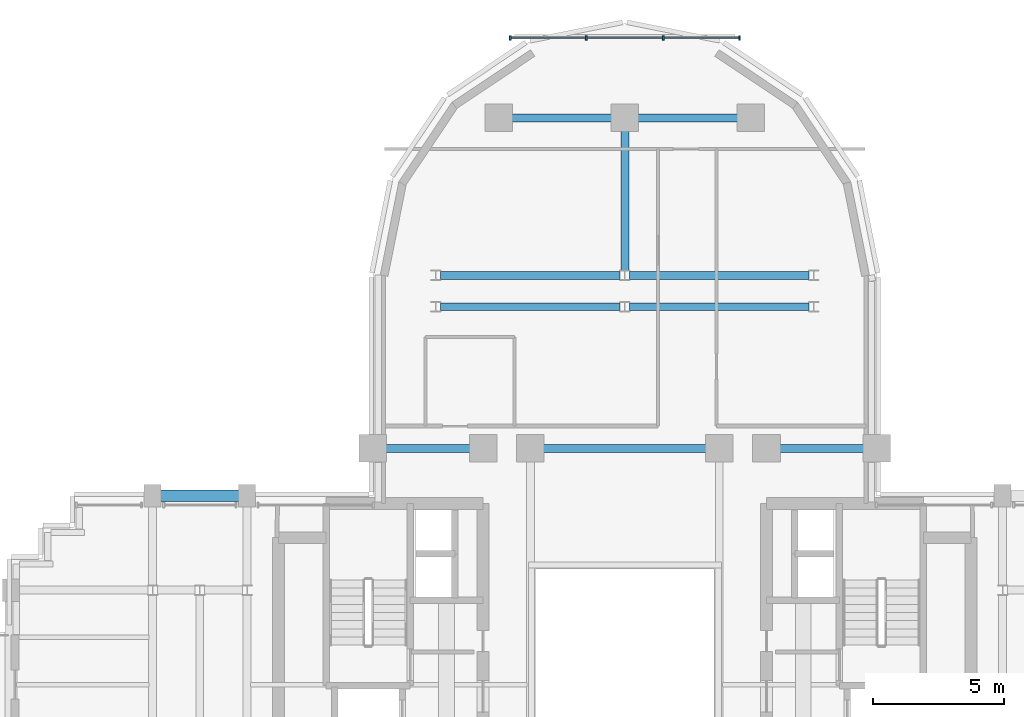
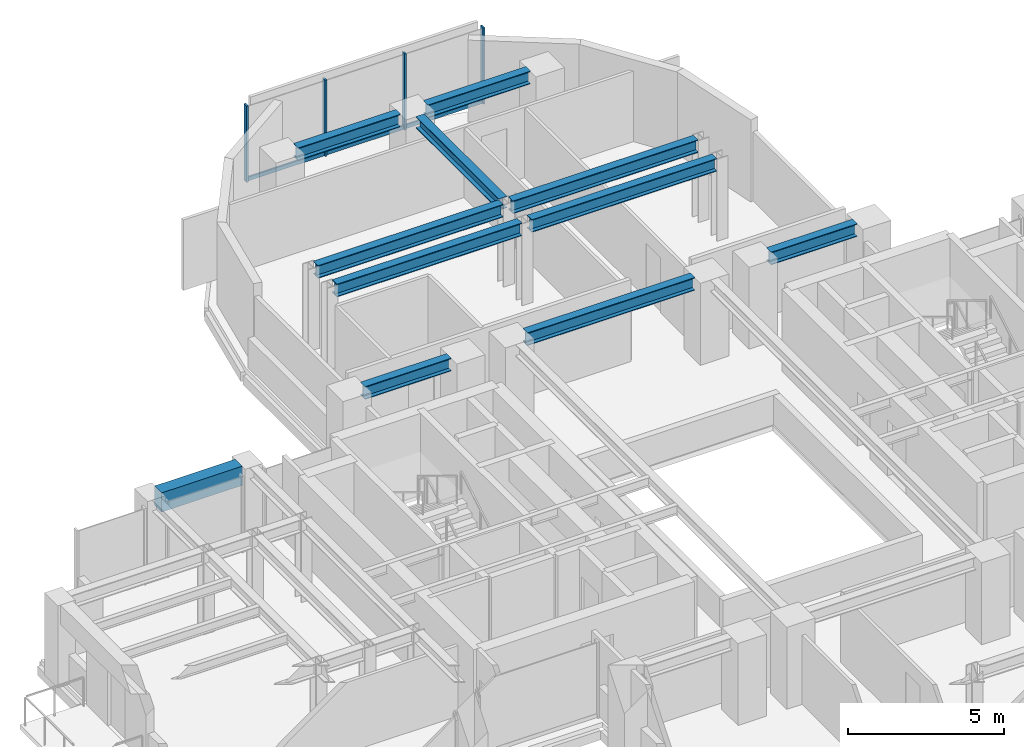
# One storey, part 6 of 13: 11 beams, 7 members, 1 element without a shape of its own.
"""IFC4 building model written with IfcOpenShell, lengths in metres."""

from ifc_helpers import new_model, si_unit, direction, frame, origin, origin_2d, place, context, subcontext, project, spatial, rectangle, i_section, extrude, source, transform, mapped, material, material_profile, profile_set, type_object, element, aggregate, save


model = new_model("IFC4")

# Units and contexts
model_context = context("Model", 3, precision=1e-05, world=origin(), true_north=direction((0.0, 1.0)))
body_context = subcontext(model_context, "Body", "Model", "MODEL_VIEW")
ifc_project = project(units=[si_unit("LENGTHUNIT", "METRE"), si_unit("AREAUNIT", "SQUARE_METRE"), si_unit("VOLUMEUNIT", "CUBIC_METRE"), si_unit("PLANEANGLEUNIT", "RADIAN"), si_unit("MASSUNIT", "GRAM", prefix="KILO")], contexts=[model_context])

# Site, building, storey
site_placement = place(None, origin())
site = spatial("IfcSite", under=ifc_project, at=site_placement, CompositionType="ELEMENT")
building_placement = place(site_placement, origin())
building = spatial("IfcBuilding", under=site, at=building_placement, Name="Keilestroom Media Tower", CompositionType="ELEMENT")
storey_placement = place(building_placement, frame((0.0, 0.0, 100.60009765625)))
storey = spatial("IfcBuildingStorey", under=building, at=storey_placement, Name="L26", CompositionType="ELEMENT", Elevation=100.60009765625)

# Beams
ifc_material_1 = material(Name="Steel S355", Category="steel")
ifc_material_profile_1 = material_profile(ifc_material_1, i_section(OverallWidth=0.300048828125, OverallDepth=0.5, WebThickness=0.012451171875, FlangeThickness=0.028076171875, at=origin_2d()), Name="HEB 500")
ifc_profile_set_1 = profile_set([ifc_material_profile_1], Name="Steel S355")
beam_type_1 = type_object("IfcBeamType", Name="Primary-Structural-Girder-HEB-500", PredefinedType="BEAM", material=ifc_profile_set_1)
shared_shape_1 = source(origin(), body_context, "Body", "SweptSolid", [
    extrude(i_section(OverallWidth=0.300048828125, OverallDepth=0.5, WebThickness=0.012451171875, FlangeThickness=0.028076171875, at=origin_2d()), origin(), (0.0, 0.0, 1.0), 3.7900390625),
])
for number, where, z_axis, x_axis, name in (
    (1, (-4.294921875, 21.60009765625, 2.949951171875), (1.0, 0.0, 0.0), (0.0, 1.0, 0.0), "L26 Beam BG-6 BM-L26-EW-037"),
    (2, (0.5048828125, 21.60009765625, 2.949951171875), (1.0, 0.0, 0.0), (0.0, 1.0, 0.0), "L26 Beam BG-6 BM-L26-EW-038"),
):
    element("IfcBeam", number, at=place(storey_placement, frame(where, z_axis=z_axis, x_axis=x_axis)), inside=storey, type_object=beam_type_1, Name=name, PredefinedType="BEAM", context=body_context, shape_type="MappedRepresentation", body=[
        mapped(shared_shape_1, transform((0.0, 0.0, 0.0), x_axis=(1.0, 0.0, 0.0), y_axis=(0.0, 1.0, 0.0), z_axis=(0.0, 0.0, 1.0), scale=1.0)),
    ])
shared_shape_2 = source(origin(), body_context, "Body", "SweptSolid", [
    extrude(i_section(OverallWidth=0.300048828125, OverallDepth=0.5, WebThickness=0.012451171875, FlangeThickness=0.028076171875, at=origin_2d()), origin(), (0.0, 0.0, 1.0), 6.839111328125),
])
for number, where, z_axis, x_axis, name in (
    (3, (-7.01953125, 14.39990234375, 2.949951171875), (1.0, 0.0, 0.0), (0.0, 1.0, 0.0), "L26 Beam BG-6 BM-L26-EW-033"),
    (4, (0.180419921875, 14.39990234375, 2.949951171875), (1.0, 0.0, 0.0), (0.0, 1.0, 0.0), "L26 Beam BG-6 BM-L26-EW-034"),
    (5, (-7.01953125, 15.60009765625, 2.949951171875), (1.0, 0.0, 0.0), (0.0, 1.0, 0.0), "L26 Beam BG-6 BM-L26-EW-035"),
    (6, (0.180419921875, 15.60009765625, 2.949951171875), (1.0, 0.0, 0.0), (0.0, 1.0, 0.0), "L26 Beam BG-6 BM-L26-EW-036"),
):
    element("IfcBeam", number, at=place(storey_placement, frame(where, z_axis=z_axis, x_axis=x_axis)), inside=storey, type_object=beam_type_1, Name=name, PredefinedType="BEAM", context=body_context, shape_type="MappedRepresentation", body=[
        mapped(shared_shape_2, transform((0.0, 0.0, 0.0), x_axis=(1.0, 0.0, 0.0), y_axis=(0.0, 1.0, 0.0), z_axis=(0.0, 0.0, 1.0), scale=1.0)),
    ])
shared_shape_3 = source(origin(), body_context, "Body", "SweptSolid", [
    extrude(i_section(OverallWidth=0.300048828125, OverallDepth=0.5, WebThickness=0.012451171875, FlangeThickness=0.028076171875, at=origin_2d()), origin(), (0.0, 0.0, 1.0), 3.18994140625),
])
for number, where, z_axis, x_axis, name in (
    (7, (-9.094970703125, 9.0, 2.949951171875), (1.0, 0.0, 0.0), (0.0, 1.0, 0.0), "L26 Beam BG-6 BM-L26-EW-028"),
    (8, (5.905029296875, 9.0, 2.949951171875), (1.0, 0.0, 0.0), (0.0, 1.0, 0.0), "L26 Beam BG-6 BM-L26-EW-032"),
):
    element("IfcBeam", number, at=place(storey_placement, frame(where, z_axis=z_axis, x_axis=x_axis)), inside=storey, type_object=beam_type_1, Name=name, PredefinedType="BEAM", context=body_context, shape_type="MappedRepresentation", body=[
        mapped(shared_shape_3, transform((0.0, 0.0, 0.0), x_axis=(1.0, 0.0, 0.0), y_axis=(0.0, 1.0, 0.0), z_axis=(0.0, 0.0, 1.0), scale=1.0)),
    ])
shared_shape_4 = source(origin(), body_context, "Body", "SweptSolid", [
    extrude(i_section(OverallWidth=0.300048828125, OverallDepth=0.5, WebThickness=0.012451171875, FlangeThickness=0.028076171875, at=origin_2d()), origin(), (0.0, 0.0, 1.0), 6.18994140625),
])
beam_1_placement = place(storey_placement, frame((-3.094970703125, 9.0, 2.949951171875), z_axis=(1.0, 0.0, 0.0), x_axis=(0.0, 1.0, 0.0)))
element("IfcBeam", 9, at=beam_1_placement, inside=storey, type_object=beam_type_1, Name="L26 Beam BG-6 BM-L26-EW-030", PredefinedType="BEAM", context=body_context, shape_type="MappedRepresentation", body=[
    mapped(shared_shape_4, transform((0.0, 0.0, 0.0), x_axis=(1.0, 0.0, 0.0), y_axis=(0.0, 1.0, 0.0), z_axis=(0.0, 0.0, 1.0), scale=1.0)),
])
ifc_material_2 = material(Name="Precast concrete C40/50", Category="concrete")
ifc_material_profile_2 = material_profile(ifc_material_2, rectangle(XDim=0.449951171875, YDim=0.75, at=origin_2d()), Name="PC 450x750")
ifc_profile_set_2 = profile_set([ifc_material_profile_2], Name="Precast concrete C40/50")
beam_type_2 = type_object("IfcBeamType", Name="Perimeter-Spandrel-Beam-PC-450x750", PredefinedType="SPANDREL", material=ifc_profile_set_2)
shared_shape_5 = source(origin(), body_context, "Body", "SweptSolid", [
    extrude(rectangle(XDim=0.449951171875, YDim=0.75, at=origin_2d()), origin(), (0.0, 0.0, 1.0), 2.989990234375),
])
beam_2_placement = place(storey_placement, frame((-17.695068359375, 7.199951171875, 2.824951171875), z_axis=(1.0, 0.0, 0.0), x_axis=(0.0, 1.0, 0.0)))
element("IfcBeam", 10, at=beam_2_placement, inside=storey, type_object=beam_type_2, Name="L26 Beam SPB-1 BM-L26-EW-026", PredefinedType="SPANDREL", context=body_context, shape_type="MappedRepresentation", body=[
    mapped(shared_shape_5, transform((0.0, 0.0, 0.0), x_axis=(1.0, 0.0, 0.0), y_axis=(0.0, 1.0, 0.0), z_axis=(0.0, 0.0, 1.0), scale=1.0)),
])
ifc_material_profile_3 = material_profile(ifc_material_1, i_section(OverallWidth=0.300048828125, OverallDepth=0.449951171875, WebThickness=0.011962890625, FlangeThickness=0.02587890625, at=origin_2d()), Name="HEB 450")
ifc_profile_set_3 = profile_set([ifc_material_profile_3], Name="Steel S355")
beam_type_3 = type_object("IfcBeamType", Name="Primary-Structural-Girder-HEB-450", PredefinedType="BEAM", material=ifc_profile_set_3)
shared_shape_6 = source(origin(), body_context, "Body", "SweptSolid", [
    extrude(i_section(OverallWidth=0.300048828125, OverallDepth=0.449951171875, WebThickness=0.011962890625, FlangeThickness=0.02587890625, at=origin_2d()), origin(), (0.0, 0.0, 1.0), 5.3154296875),
])
beam_3_placement = place(storey_placement, frame((0.0, 15.779541015625, 2.974853515625), z_axis=(0.0, 1.0, 0.0), x_axis=(-1.0, 0.0, 0.0)))
element("IfcBeam", 11, at=beam_3_placement, inside=storey, type_object=beam_type_3, Name="L26 Beam BG-7 BM-L26-NS-055", PredefinedType="BEAM", context=body_context, shape_type="MappedRepresentation", body=[
    mapped(shared_shape_6, transform((0.0, 0.0, 0.0), x_axis=(1.0, 0.0, 0.0), y_axis=(0.0, 1.0, 0.0), z_axis=(0.0, 0.0, 1.0), scale=1.0)),
])

# Curtain wall, members
ifc_material_3 = material(Name="Anodised Aluminium Alloy", Category="aluminium")
curtain_wall_type = type_object("IfcCurtainWallType", Name="Unitised-Curtain-Wall-CW-6", PredefinedType="NOTDEFINED", material=ifc_material_3)
curtain_wall_placement = place(storey_placement, origin())
curtain_wall = element("IfcCurtainWall", 12, at=curtain_wall_placement, inside=storey, type_object=curtain_wall_type, Name="L26 Curtain Wall CW-6 CW-L26-LN-1", PredefinedType="NOTDEFINED")
ifc_material_profile_4 = material_profile(ifc_material_3, rectangle(XDim=0.06494140625, YDim=0.179931640625, at=origin_2d()), Name="ALU MULLION 65x180")
ifc_profile_set_4 = profile_set([ifc_material_profile_4], Name="Anodised Aluminium Alloy")
member_type_1 = type_object("IfcMemberType", Name="Curtain-Wall-Mullion-CW-6", PredefinedType="MULLION", material=ifc_profile_set_4)
shared_shape_7 = source(origin(), body_context, "Body", "SweptSolid", [
    extrude(rectangle(XDim=0.06494140625, YDim=0.179931640625, at=origin_2d()), origin(), (0.0, 0.0, 1.0), 2.97998046875),
])
member_1_placement = place(storey_placement, frame((-4.367431640625, 24.64990234375, 0.0), z_axis=(0.0, 0.0, 1.0), x_axis=(1.0, 0.0, 0.0)))
member_1 = element("IfcMember", 13, at=member_1_placement, type_object=member_type_1, Name="CW-6 Mullion 00", PredefinedType="MULLION", context=body_context, shape_type="MappedRepresentation", body=[
    mapped(shared_shape_7, transform((0.0, 0.0, 0.0), x_axis=(1.0, 0.0, 0.0), y_axis=(0.0, 1.0, 0.0), z_axis=(0.0, 0.0, 1.0), scale=1.0)),
])
member_2_placement = place(storey_placement, frame((-1.466796875, 24.64990234375, 0.0), z_axis=(0.0, 0.0, 1.0), x_axis=(1.0, 0.0, 0.0)))
member_2 = element("IfcMember", 14, at=member_2_placement, type_object=member_type_1, Name="CW-6 Mullion 01", PredefinedType="MULLION", context=body_context, shape_type="MappedRepresentation", body=[
    mapped(shared_shape_7, transform((0.0, 0.0, 0.0), x_axis=(1.0, 0.0, 0.0), y_axis=(0.0, 1.0, 0.0), z_axis=(0.0, 0.0, 1.0), scale=1.0)),
])
member_3_placement = place(storey_placement, frame((1.466796875, 24.64990234375, 0.0), z_axis=(0.0, 0.0, 1.0), x_axis=(1.0, 0.0, 0.0)))
member_3 = element("IfcMember", 15, at=member_3_placement, type_object=member_type_1, Name="CW-6 Mullion 02", PredefinedType="MULLION", context=body_context, shape_type="MappedRepresentation", body=[
    mapped(shared_shape_7, transform((0.0, 0.0, 0.0), x_axis=(1.0, 0.0, 0.0), y_axis=(0.0, 1.0, 0.0), z_axis=(0.0, 0.0, 1.0), scale=1.0)),
])
member_4_placement = place(storey_placement, frame((4.367431640625, 24.64990234375, 0.0), z_axis=(0.0, 0.0, 1.0), x_axis=(1.0, 0.0, 0.0)))
member_4 = element("IfcMember", 16, at=member_4_placement, type_object=member_type_1, Name="CW-6 Mullion 03", PredefinedType="MULLION", context=body_context, shape_type="MappedRepresentation", body=[
    mapped(shared_shape_7, transform((0.0, 0.0, 0.0), x_axis=(1.0, 0.0, 0.0), y_axis=(0.0, 1.0, 0.0), z_axis=(0.0, 0.0, 1.0), scale=1.0)),
])
ifc_material_profile_5 = material_profile(ifc_material_3, rectangle(XDim=0.06494140625, YDim=0.14990234375, at=origin_2d()), Name="ALU TRANSOM 65x150")
ifc_profile_set_5 = profile_set([ifc_material_profile_5], Name="Anodised Aluminium Alloy")
member_type_2 = type_object("IfcMemberType", Name="Curtain-Wall-Transom-CW-6", PredefinedType="USERDEFINED", material=ifc_profile_set_5)
shared_shape_8 = source(origin(), body_context, "Body", "SweptSolid", [
    extrude(rectangle(XDim=0.06494140625, YDim=0.14990234375, at=origin_2d()), origin(), (0.0, 0.0, 1.0), 2.839599609375),
])
member_5_placement = place(storey_placement, frame((-4.3369140625, 24.64990234375, 0.074951171875), z_axis=(1.0, 0.0, 0.0), x_axis=(0.0, 1.0, 0.0)))
member_5 = element("IfcMember", 17, at=member_5_placement, type_object=member_type_2, Name="CW-6 Transom 00.1", ObjectType="TRANSOM", PredefinedType="USERDEFINED", context=body_context, shape_type="MappedRepresentation", body=[
    mapped(shared_shape_8, transform((0.0, 0.0, 0.0), x_axis=(1.0, 0.0, 0.0), y_axis=(0.0, 1.0, 0.0), z_axis=(0.0, 0.0, 1.0), scale=1.0)),
])
member_6_placement = place(storey_placement, frame((1.497314453125, 24.64990234375, 0.074951171875), z_axis=(1.0, 0.0, 0.0), x_axis=(0.0, 1.0, 0.0)))
member_6 = element("IfcMember", 18, at=member_6_placement, type_object=member_type_2, Name="CW-6 Transom 02.1", ObjectType="TRANSOM", PredefinedType="USERDEFINED", context=body_context, shape_type="MappedRepresentation", body=[
    mapped(shared_shape_8, transform((0.0, 0.0, 0.0), x_axis=(1.0, 0.0, 0.0), y_axis=(0.0, 1.0, 0.0), z_axis=(0.0, 0.0, 1.0), scale=1.0)),
])
shared_shape_9 = source(origin(), body_context, "Body", "SweptSolid", [
    extrude(rectangle(XDim=0.06494140625, YDim=0.14990234375, at=origin_2d()), origin(), (0.0, 0.0, 1.0), 2.87255859375),
])
member_7_placement = place(storey_placement, frame((-1.436279296875, 24.64990234375, 0.074951171875), z_axis=(1.0, 0.0, 0.0), x_axis=(0.0, 1.0, 0.0)))
member_7 = element("IfcMember", 19, at=member_7_placement, type_object=member_type_2, Name="CW-6 Transom 01.1", ObjectType="TRANSOM", PredefinedType="USERDEFINED", context=body_context, shape_type="MappedRepresentation", body=[
    mapped(shared_shape_9, transform((0.0, 0.0, 0.0), x_axis=(1.0, 0.0, 0.0), y_axis=(0.0, 1.0, 0.0), z_axis=(0.0, 0.0, 1.0), scale=1.0)),
])
aggregate(curtain_wall, [member_1, member_2, member_3, member_4, member_5, member_7, member_6])

save(model, "model.ifc")
